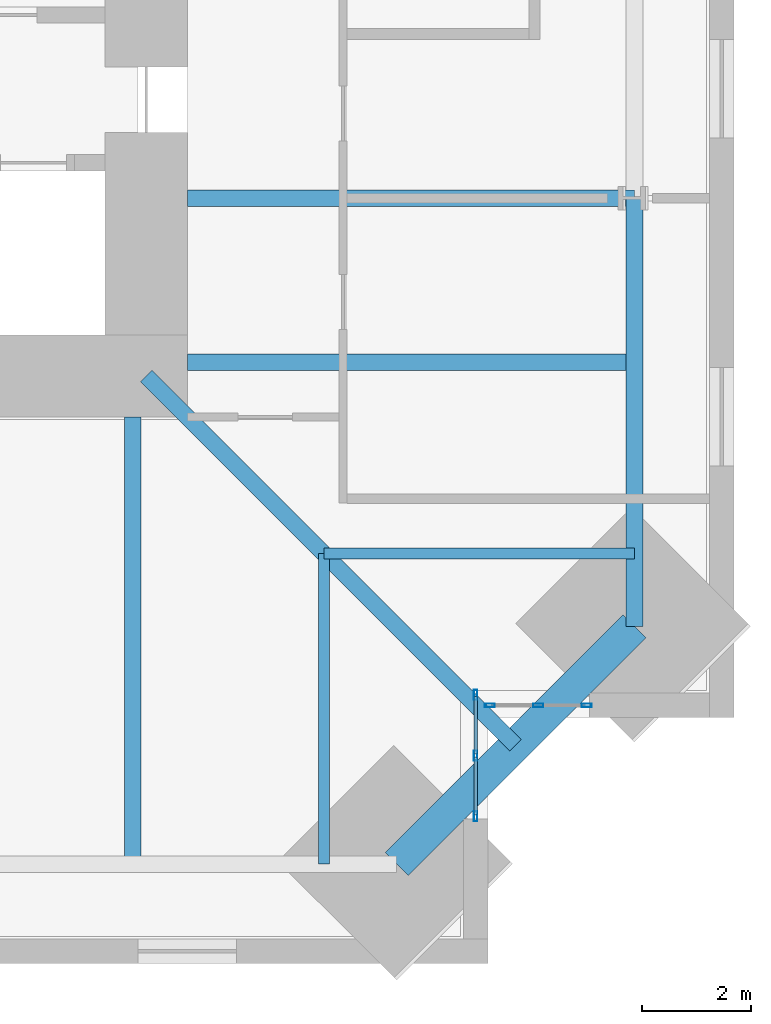
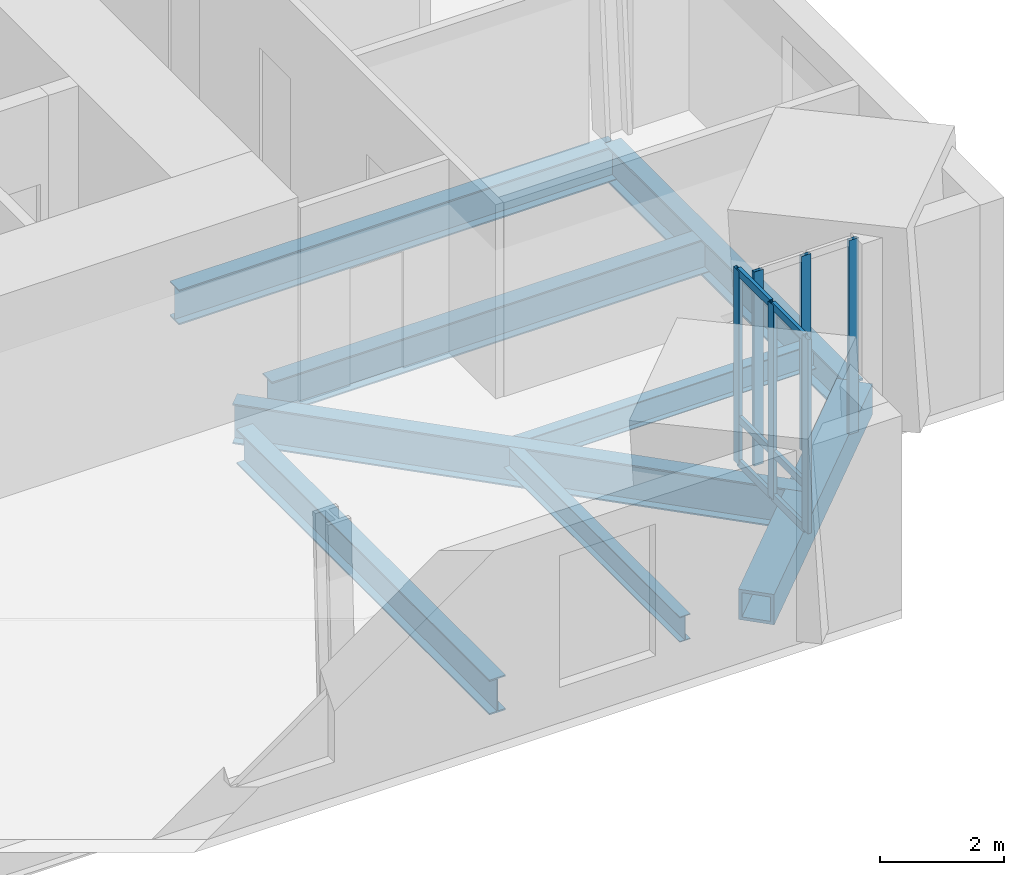
# One storey, part 4 of 16: 12 members, 8 beams, 2 elements without a shape of their own.
"""IFC4 building model written with IfcOpenShell, lengths in metres."""

import ifcopenshell
import ifcopenshell.guid

model = None  # the IFC model being written
_history = None  # IfcOwnerHistory: only IFC2X3 demands one
_inside = {}  # id of a spatial element -> (the spatial element, [elements in it])
_under = {}  # id of a project, library or spatial element -> (it, [spatial elements below it])
_declared = {}  # id of a project -> (the project, [libraries it declares])
_typed = {}  # id of a type object -> (the type object, [elements of that type])
_made_of = {}  # id of a material, layer set ... -> (it, [elements and type objects made of it])


def new_model(schema):
    """Start an empty IFC model of exactly this schema.

    Asked for "IFC4X3", IfcOpenShell would pick the latest addendum, in which some entities
    have other attributes; the version numbers below select the first issue.
    IFC2X3 requires an IfcOwnerHistory on every rooted entity: one is made here for all.
    """
    global model, _history
    if schema == "IFC4X3":
        model = ifcopenshell.file(schema_version=(4, 3, 0, 0))
    else:
        model = ifcopenshell.file(schema=schema)
    _inside.clear()
    _under.clear()
    _declared.clear()
    _typed.clear()
    _made_of.clear()
    _history = None
    if model.schema == "IFC2X3":
        org = make("IfcOrganization", Name="unknown")
        user = make(
            "IfcPersonAndOrganization",
            ThePerson=make("IfcPerson", FamilyName="unknown"),
            TheOrganization=org,
        )
        app = make(
            "IfcApplication",
            ApplicationDeveloper=org,
            Version="unknown",
            ApplicationFullName="unknown",
            ApplicationIdentifier="unknown",
        )
        _history = make(
            "IfcOwnerHistory",
            OwningUser=user,
            OwningApplication=app,
            ChangeAction="ADDED",
            CreationDate=0,
        )
    return model


def make(cls, **values):
    """One entity of the class cls with the attributes given. An attribute that is None is left unset."""
    return model.create_entity(
        cls, **{name: value for name, value in values.items() if value is not None}
    )


def rooted(cls, **values):
    """An entity with a GlobalId (a new one), such as an element, a storey or a relation."""
    return make(cls, GlobalId=ifcopenshell.guid.new(), OwnerHistory=_history, **values)


def si_unit(unit_type, name, prefix=None):
    """IfcSIUnit, for example si_unit("LENGTHUNIT", "METRE", prefix="MILLI")."""
    return make("IfcSIUnit", UnitType=unit_type, Prefix=prefix, Name=name)


def assignment(units):
    """IfcUnitAssignment: the units of a project."""
    return None if units is None else make("IfcUnitAssignment", Units=units)


def point(xyz):
    """IfcCartesianPoint."""
    return None if xyz is None else make("IfcCartesianPoint", Coordinates=xyz)


def direction(xyz):
    """IfcDirection."""
    return None if xyz is None else make("IfcDirection", DirectionRatios=xyz)


def frame(location, z_axis=None, x_axis=None):
    """IfcAxis2Placement3D, a coordinate frame: its origin and axes. An axis left out is left unset."""
    return make(
        "IfcAxis2Placement3D",
        Location=point(location),
        Axis=direction(z_axis),
        RefDirection=direction(x_axis),
    )


def frame_2d(location, x_axis=None):
    """IfcAxis2Placement2D, a coordinate frame in the plane: its origin and x axis."""
    return make(
        "IfcAxis2Placement2D", Location=point(location), RefDirection=direction(x_axis)
    )


def origin():
    """The frame at (0, 0, 0) with its axes left unset."""
    return frame((0.0, 0.0, 0.0))


def origin_2d():
    """The frame at (0, 0) in the plane with its x axis left unset."""
    return frame_2d((0.0, 0.0))


def place(relative_to, where):
    """IfcLocalPlacement: puts the frame where relative to a parent placement (None: the world)."""
    return make(
        "IfcLocalPlacement", PlacementRelTo=relative_to, RelativePlacement=where
    )


def context(
    kind, dimensions, precision=None, world=None, true_north=None, identifier=None
):
    """IfcGeometricRepresentationContext, for example the 3D "Model" context."""
    return make(
        "IfcGeometricRepresentationContext",
        ContextIdentifier=identifier,
        ContextType=kind,
        CoordinateSpaceDimension=dimensions,
        Precision=precision,
        WorldCoordinateSystem=world,
        TrueNorth=true_north,
    )


def subcontext(parent, identifier, kind, view, scale=None):
    """IfcGeometricRepresentationSubContext, for example "Body" below "Model"."""
    return make(
        "IfcGeometricRepresentationSubContext",
        ContextIdentifier=identifier,
        ContextType=kind,
        ParentContext=parent,
        TargetScale=scale,
        TargetView=view,
    )


def project(units=None, contexts=None):
    """IfcProject with its units and contexts."""
    return rooted(
        "IfcProject",
        Name="project",
        RepresentationContexts=contexts,
        UnitsInContext=assignment(units),
    )


def spatial(cls, under=None, at=None, **own):
    """A site, building, storey or space (cls), placed at a placement, below another one or the project."""
    s = rooted(cls, ObjectPlacement=at, **own)
    if under is not None:
        _under.setdefault(under.id(), (under, []))[1].append(s)
    return s


def profile(cls, at=None, kind="AREA", **sizes):
    """A parametric profile (cls). Its sizes go by their IFC names, for example OverallWidth=200.0."""
    return make(cls, ProfileType=kind, Position=at, **sizes)


def hollow_rectangle(**sizes):
    """IfcRectangleHollowProfileDef."""
    return profile("IfcRectangleHollowProfileDef", **sizes)


def i_section(**sizes):
    """IfcIShapeProfileDef."""
    return profile("IfcIShapeProfileDef", **sizes)


def extrude(swept, where, along, depth):
    """IfcExtrudedAreaSolid: the profile swept, set in the frame where, extruded along a direction by depth."""
    return make(
        "IfcExtrudedAreaSolid",
        SweptArea=swept,
        Position=where,
        ExtrudedDirection=direction(along),
        Depth=depth,
    )


def shape(context_of_items, identifier, shape_type, items):
    """IfcShapeRepresentation: the items that make up one representation, for example the "Body"."""
    return make(
        "IfcShapeRepresentation",
        ContextOfItems=context_of_items,
        RepresentationIdentifier=identifier,
        RepresentationType=shape_type,
        Items=items,
    )


def material(Name=None, Category=None):
    """IfcMaterial."""
    return make("IfcMaterial", Name=Name, Category=Category)


def material_profile(
    of_material, cross_section, Name=None, Category=None, Priority=None
):
    """IfcMaterialProfile: a cross section and its material."""
    return make(
        "IfcMaterialProfile",
        Name=Name,
        Material=of_material,
        Profile=cross_section,
        Priority=Priority,
        Category=Category,
    )


def profile_set(profiles, Name=None, composite=None):
    """IfcMaterialProfileSet."""
    return make(
        "IfcMaterialProfileSet",
        Name=Name,
        MaterialProfiles=profiles,
        CompositeProfile=composite,
    )


def made_of(thing, what):
    """Note that an element or type object is made of a material, layer set ...; save() writes the relation."""
    if what is not None:
        _made_of.setdefault(what.id(), (what, []))[1].append(thing)
    return thing


def type_object(cls, material=None, **own):
    """A type object (cls), such as IfcWallType, which elements share."""
    return made_of(rooted(cls, **own), material)


def element(
    cls,
    number,
    at=None,
    inside=None,
    cuts=None,
    type_object=None,
    material=None,
    context=None,
    identifier="Body",
    shape_type=None,
    held_by="IfcProductDefinitionShape",
    body=None,
    shapes=None,
    **own,
):
    """One element of the class cls, such as IfcWall. Its Tag is "e" and its number.

    at: its placement. inside: the storey or other place that contains it. cuts: it is an
    opening in that element (IfcRelVoidsElement). A single representation is given by context,
    identifier, shape_type and body (its items); several are given by shapes. held_by: the class
    of the entity that holds the representations. save() writes the other relations.
    """
    e = rooted(cls, Tag="e%d" % number, ObjectPlacement=at, **own)
    if body is not None:
        shapes = [shape(context, identifier, shape_type, body)]
    if shapes is not None:
        e.Representation = make(held_by, Representations=shapes)
    if inside is not None:
        _inside.setdefault(inside.id(), (inside, []))[1].append(e)
    if cuts is not None:
        rooted(
            "IfcRelVoidsElement", RelatingBuildingElement=cuts, RelatedOpeningElement=e
        )
    if type_object is not None:
        _typed.setdefault(type_object.id(), (type_object, []))[1].append(e)
    return made_of(e, material)


def aggregate(whole, parts):
    """IfcRelAggregates: a whole, such as a stair, and the parts it consists of."""
    return rooted("IfcRelAggregates", RelatingObject=whole, RelatedObjects=parts)


def save(model, path):
    """Write the relations noted so far, then the file.

    IfcRelAggregates (storeys below a building ...), IfcRelContainedInSpatialStructure (elements
    in a storey), IfcRelDefinesByType, IfcRelAssociatesMaterial and IfcRelDeclares: one each for
    every whole, place, type object, material and project.
    """
    for whole, parts in _under.values():
        aggregate(whole, parts)
    for where, things in _inside.values():
        rooted(
            "IfcRelContainedInSpatialStructure",
            RelatedElements=things,
            RelatingStructure=where,
        )
    for kind, things in _typed.values():
        rooted("IfcRelDefinesByType", RelatedObjects=things, RelatingType=kind)
    for what, things in _made_of.values():
        rooted("IfcRelAssociatesMaterial", RelatedObjects=things, RelatingMaterial=what)
    for by, libraries in _declared.values():
        rooted("IfcRelDeclares", RelatingContext=by, RelatedDefinitions=libraries)
    model.write(path)


model = new_model("IFC4")

# Units and contexts
model_context = context("Model", 3, precision=1e-05, world=origin(), true_north=direction((0.0, 1.0)))
body_context = subcontext(model_context, "Body", "Model", "MODEL_VIEW")
ifc_project = project(units=[si_unit("LENGTHUNIT", "METRE"), si_unit("AREAUNIT", "SQUARE_METRE"), si_unit("VOLUMEUNIT", "CUBIC_METRE"), si_unit("PLANEANGLEUNIT", "RADIAN"), si_unit("MASSUNIT", "GRAM", prefix="KILO")], contexts=[model_context])

# Site, building, storey
site_placement = place(None, origin())
site = spatial("IfcSite", under=ifc_project, at=site_placement, CompositionType="ELEMENT")
building_placement = place(site_placement, origin())
building = spatial("IfcBuilding", under=site, at=building_placement, Name="Peilmerk Tower", CompositionType="ELEMENT")
storey_placement = place(building_placement, frame((0.0, 0.0, 265.800048828125)))
storey = spatial("IfcBuildingStorey", under=building, at=storey_placement, Name="L59", CompositionType="ELEMENT", Elevation=265.800048828125)

# Beams
ifc_material_1 = material(Name="Steel S355", Category="steel")
ifc_material_profile_1 = material_profile(ifc_material_1, i_section(OverallWidth=0.300048828125, OverallDepth=0.68994140625, WebThickness=0.014404296875, FlangeThickness=0.027099609375, at=origin_2d()), Name="HEA 700")
ifc_profile_set_1 = profile_set([ifc_material_profile_1], Name="Steel S355")
beam_type_1 = type_object("IfcBeamType", Name="B16 HEA 700 floor beam", PredefinedType="BEAM", material=ifc_profile_set_1)
for number, where, z_axis, x_axis, name in (
    (1, (12.0, -11.0, -0.51513671875), (1.0, 0.0, 0.0), (0.0, 1.0, 0.0), "Floor beam L59"),
    (2, (12.0, -8.0, -0.51513671875), (1.0, 0.0, 0.0), (0.0, 1.0, 0.0), "Floor beam L59"),
    (3, (11.0, -12.0, -0.51513671875), (0.0, -1.0, 0.0), (1.0, 0.0, 0.0), "Floor beam L59"),
):
    element("IfcBeam", number, at=place(storey_placement, frame(where, z_axis=z_axis, x_axis=x_axis)), inside=storey, type_object=beam_type_1, Name=name, PredefinedType="BEAM", context=body_context, shape_type="SweptSolid", body=[
        extrude(i_section(OverallWidth=0.300048828125, OverallDepth=0.68994140625, WebThickness=0.014404296875, FlangeThickness=0.027099609375, at=origin_2d()), origin(), (0.0, 0.0, 1.0), 8.178955078125),
    ])
ifc_material_2 = material(Name="Steel S460", Category="steel")
ifc_material_profile_2 = material_profile(ifc_material_2, hollow_rectangle(XDim=0.60009765625, YDim=0.60009765625, WallThickness=0.06005859375, at=origin_2d()), Name="BOX 600x600x60")
ifc_profile_set_2 = profile_set([ifc_material_profile_2], Name="Steel S460")
beam_type_2 = type_object("IfcBeamType", Name="B20 BOX 600x600x60 notch beam", PredefinedType="SPANDREL", material=ifc_profile_set_2)
beam_1_placement = place(storey_placement, frame((20.178955078125, -15.8291015625, -0.469970703125), z_axis=(-0.707106781187, -0.707106781187, 0.0), x_axis=(0.707106781187, -0.707106781187, 0.0)))
element("IfcBeam", 4, at=beam_1_placement, inside=storey, type_object=beam_type_2, Name="Notch beam L59", PredefinedType="SPANDREL", context=body_context, shape_type="SweptSolid", body=[
    extrude(hollow_rectangle(XDim=0.60009765625, YDim=0.60009765625, WallThickness=0.06005859375, at=origin_2d()), origin(), (0.0, 0.0, 1.0), 6.151611328125),
])
ifc_material_profile_3 = material_profile(ifc_material_1, i_section(OverallWidth=0.300048828125, OverallDepth=0.7900390625, WebThickness=0.014892578125, FlangeThickness=0.028076171875, at=origin_2d()), Name="HEA 800")
ifc_profile_set_3 = profile_set([ifc_material_profile_3], Name="Steel S355")
beam_type_3 = type_object("IfcBeamType", Name="B3 HEA 800 floor beam", PredefinedType="BEAM", material=ifc_profile_set_3)
beam_2_placement = place(storey_placement, frame((11.25, -11.25, -0.56494140625), z_axis=(0.707106781187, -0.707106781187, 0.0), x_axis=(0.707106781187, 0.707106781187, 0.0)))
element("IfcBeam", 5, at=beam_2_placement, inside=storey, type_object=beam_type_3, Name="Corner girder L59", PredefinedType="BEAM", context=body_context, shape_type="SweptSolid", body=[
    extrude(i_section(OverallWidth=0.300048828125, OverallDepth=0.7900390625, WebThickness=0.014892578125, FlangeThickness=0.028076171875, at=origin_2d()), origin(), (0.0, 0.0, 1.0), 9.5517578125),
])
ifc_material_profile_4 = material_profile(ifc_material_1, i_section(OverallWidth=0.303955078125, OverallDepth=0.716064453125, WebThickness=0.02099609375, FlangeThickness=0.0400390625, at=origin_2d()), Name="HEM 700")
ifc_profile_set_4 = profile_set([ifc_material_profile_4], Name="Steel S355")
beam_type_4 = type_object("IfcBeamType", Name="B30 HEM 700 edge beam", PredefinedType="SPANDREL", material=ifc_profile_set_4)
beam_3_placement = place(storey_placement, frame((20.178955078125, -15.8291015625, -0.528076171875), z_axis=(0.0, 1.0, 0.0), x_axis=(-1.0, 0.0, 0.0)))
element("IfcBeam", 6, at=beam_3_placement, inside=storey, type_object=beam_type_4, Name="Edge beam L59", PredefinedType="SPANDREL", context=body_context, shape_type="SweptSolid", body=[
    extrude(i_section(OverallWidth=0.303955078125, OverallDepth=0.716064453125, WebThickness=0.02099609375, FlangeThickness=0.0400390625, at=origin_2d()), origin(), (0.0, 0.0, 1.0), 7.8291015625),
])
ifc_material_profile_5 = material_profile(ifc_material_1, i_section(OverallWidth=0.199951171875, OverallDepth=0.5, WebThickness=0.01025390625, FlangeThickness=0.01611328125, at=origin_2d()), Name="IPE 500")
ifc_profile_set_5 = profile_set([ifc_material_profile_5], Name="Steel S355")
beam_type_5 = type_object("IfcBeamType", Name="B32 IPE 500 floor beam", PredefinedType="BEAM", material=ifc_profile_set_5)
for number, where, z_axis, x_axis, name in (
    (7, (14.5, -14.5, -0.420166015625), (0.0, -1.0, 0.0), (1.0, 0.0, 0.0), "Floor beam L59"),
    (8, (14.5, -14.5, -0.420166015625), (1.0, 0.0, 0.0), (0.0, 1.0, 0.0), "Floor beam L59"),
):
    element("IfcBeam", number, at=place(storey_placement, frame(where, z_axis=z_axis, x_axis=x_axis)), inside=storey, type_object=beam_type_5, Name=name, PredefinedType="BEAM", context=body_context, shape_type="SweptSolid", body=[
        extrude(i_section(OverallWidth=0.199951171875, OverallDepth=0.5, WebThickness=0.01025390625, FlangeThickness=0.01611328125, at=origin_2d()), origin(), (0.0, 0.0, 1.0), 5.678955078125),
    ])

# Curtain wall, members
ifc_material_3 = material(Name="Aluminium stick curtain wall", Category="aluminium")
curtain_wall_type = type_object("IfcCurtainWallType", Name="CW4 stick curtain wall, 2250 module", PredefinedType="NOTDEFINED", material=ifc_material_3)
curtain_wall_1_placement = place(storey_placement, origin())
curtain_wall_1 = element("IfcCurtainWall", 9, at=curtain_wall_1_placement, inside=storey, type_object=curtain_wall_type, Name="Curtain wall CW4 SEA L59", PredefinedType="NOTDEFINED")
ifc_material_4 = material(Name="Aluminium EN AW-6063 T6", Category="aluminium")
ifc_material_profile_6 = material_profile(ifc_material_4, hollow_rectangle(XDim=0.06494140625, YDim=0.179931640625, WallThickness=0.0029296875, at=origin_2d()), Name="AL 180x65x3")
ifc_profile_set_6 = profile_set([ifc_material_profile_6], Name="Aluminium EN AW-6063 T6")
member_type_1 = type_object("IfcMemberType", Name="CW4-M AL 180x65x3 mullion", PredefinedType="MULLION", material=ifc_profile_set_6)
member_1_placement = place(storey_placement, frame((17.27490234375, -17.08251953125, 0.0), z_axis=(0.0, 0.0, 1.0), x_axis=(1.0, 0.0, 0.0)))
member_1 = element("IfcMember", 10, at=member_1_placement, type_object=member_type_1, Name="CW4 mullion 1", PredefinedType="MULLION", context=body_context, shape_type="SweptSolid", body=[
    extrude(hollow_rectangle(XDim=0.06494140625, YDim=0.179931640625, WallThickness=0.0029296875, at=origin_2d()), origin(), (0.0, 0.0, 1.0), 3.829833984375),
])
member_2_placement = place(storey_placement, frame((17.27490234375, -18.1943359375, 0.0), z_axis=(0.0, 0.0, 1.0), x_axis=(1.0, 0.0, 0.0)))
member_2 = element("IfcMember", 11, at=member_2_placement, type_object=member_type_1, Name="CW4 mullion 2", PredefinedType="MULLION", context=body_context, shape_type="SweptSolid", body=[
    extrude(hollow_rectangle(XDim=0.06494140625, YDim=0.179931640625, WallThickness=0.0029296875, at=origin_2d()), origin(), (0.0, 0.0, 1.0), 3.829833984375),
])
member_3_placement = place(storey_placement, frame((17.27490234375, -19.30615234375, 0.0), z_axis=(0.0, 0.0, 1.0), x_axis=(1.0, 0.0, 0.0)))
member_3 = element("IfcMember", 12, at=member_3_placement, type_object=member_type_1, Name="CW4 mullion 3", PredefinedType="MULLION", context=body_context, shape_type="SweptSolid", body=[
    extrude(hollow_rectangle(XDim=0.06494140625, YDim=0.179931640625, WallThickness=0.0029296875, at=origin_2d()), origin(), (0.0, 0.0, 1.0), 3.829833984375),
])

curtain_wall_2_placement = place(storey_placement, origin())
curtain_wall_2 = element("IfcCurtainWall", 13, at=curtain_wall_2_placement, inside=storey, type_object=curtain_wall_type, Name="Curtain wall CW4 SEB L59", PredefinedType="NOTDEFINED")
member_4_placement = place(storey_placement, frame((17.532470703125, -17.27490234375, 0.0), z_axis=(0.0, 0.0, 1.0), x_axis=(0.0, 1.0, 0.0)))
member_4 = element("IfcMember", 14, at=member_4_placement, type_object=member_type_1, Name="CW4 mullion 1", PredefinedType="MULLION", context=body_context, shape_type="SweptSolid", body=[
    extrude(hollow_rectangle(XDim=0.06494140625, YDim=0.179931640625, WallThickness=0.0029296875, at=origin_2d()), origin(), (0.0, 0.0, 1.0), 3.829833984375),
])
member_5_placement = place(storey_placement, frame((18.41943359375, -17.27490234375, 0.0), z_axis=(0.0, 0.0, 1.0), x_axis=(0.0, 1.0, 0.0)))
member_5 = element("IfcMember", 15, at=member_5_placement, type_object=member_type_1, Name="CW4 mullion 2", PredefinedType="MULLION", context=body_context, shape_type="SweptSolid", body=[
    extrude(hollow_rectangle(XDim=0.06494140625, YDim=0.179931640625, WallThickness=0.0029296875, at=origin_2d()), origin(), (0.0, 0.0, 1.0), 3.829833984375),
])
member_6_placement = place(storey_placement, frame((19.30615234375, -17.27490234375, 0.0), z_axis=(0.0, 0.0, 1.0), x_axis=(0.0, 1.0, 0.0)))
member_6 = element("IfcMember", 16, at=member_6_placement, type_object=member_type_1, Name="CW4 mullion 3", PredefinedType="MULLION", context=body_context, shape_type="SweptSolid", body=[
    extrude(hollow_rectangle(XDim=0.06494140625, YDim=0.179931640625, WallThickness=0.0029296875, at=origin_2d()), origin(), (0.0, 0.0, 1.0), 3.829833984375),
])
aggregate(curtain_wall_2, [member_4, member_5, member_6])

# Member
ifc_material_profile_7 = material_profile(ifc_material_4, hollow_rectangle(XDim=0.06494140625, YDim=0.14990234375, WallThickness=0.0029296875, at=origin_2d()), Name="AL 150x65x3")
ifc_profile_set_7 = profile_set([ifc_material_profile_7], Name="Aluminium EN AW-6063 T6")
member_type_2 = type_object("IfcMemberType", Name="CW4-T AL 150x65x3 transom", PredefinedType="USERDEFINED", material=ifc_profile_set_7)
member_7_placement = place(storey_placement, frame((17.27490234375, -17.114990234375, 0.032470703125), z_axis=(0.0, -1.0, 0.0), x_axis=(1.0, 0.0, 0.0)))
member_7 = element("IfcMember", 17, at=member_7_placement, type_object=member_type_2, Name="CW4 transom 1.1", ObjectType="TRANSOM", PredefinedType="USERDEFINED", context=body_context, shape_type="SweptSolid", body=[
    extrude(hollow_rectangle(XDim=0.06494140625, YDim=0.14990234375, WallThickness=0.0029296875, at=origin_2d()), origin(), (0.0, 0.0, 1.0), 1.046875),
])

member_8_placement = place(storey_placement, frame((17.27490234375, -17.114990234375, 0.89990234375), z_axis=(0.0, -1.0, 0.0), x_axis=(1.0, 0.0, 0.0)))
member_8 = element("IfcMember", 18, at=member_8_placement, type_object=member_type_2, Name="CW4 transom 1.2", ObjectType="TRANSOM", PredefinedType="USERDEFINED", context=body_context, shape_type="SweptSolid", body=[
    extrude(hollow_rectangle(XDim=0.06494140625, YDim=0.14990234375, WallThickness=0.0029296875, at=origin_2d()), origin(), (0.0, 0.0, 1.0), 1.046875),
])

member_9_placement = place(storey_placement, frame((17.27490234375, -17.114990234375, 3.79736328125), z_axis=(0.0, -1.0, 0.0), x_axis=(1.0, 0.0, 0.0)))
member_9 = element("IfcMember", 19, at=member_9_placement, type_object=member_type_2, Name="CW4 transom 1.3", ObjectType="TRANSOM", PredefinedType="USERDEFINED", context=body_context, shape_type="SweptSolid", body=[
    extrude(hollow_rectangle(XDim=0.06494140625, YDim=0.14990234375, WallThickness=0.0029296875, at=origin_2d()), origin(), (0.0, 0.0, 1.0), 1.046875),
])

member_10_placement = place(storey_placement, frame((17.27490234375, -18.226806640625, 0.032470703125), z_axis=(0.0, -1.0, 0.0), x_axis=(1.0, 0.0, 0.0)))
member_10 = element("IfcMember", 20, at=member_10_placement, type_object=member_type_2, Name="CW4 transom 2.1", ObjectType="TRANSOM", PredefinedType="USERDEFINED", context=body_context, shape_type="SweptSolid", body=[
    extrude(hollow_rectangle(XDim=0.06494140625, YDim=0.14990234375, WallThickness=0.0029296875, at=origin_2d()), origin(), (0.0, 0.0, 1.0), 1.046875),
])

member_11_placement = place(storey_placement, frame((17.27490234375, -18.226806640625, 0.89990234375), z_axis=(0.0, -1.0, 0.0), x_axis=(1.0, 0.0, 0.0)))
member_11 = element("IfcMember", 21, at=member_11_placement, type_object=member_type_2, Name="CW4 transom 2.2", ObjectType="TRANSOM", PredefinedType="USERDEFINED", context=body_context, shape_type="SweptSolid", body=[
    extrude(hollow_rectangle(XDim=0.06494140625, YDim=0.14990234375, WallThickness=0.0029296875, at=origin_2d()), origin(), (0.0, 0.0, 1.0), 1.046875),
])

member_12_placement = place(storey_placement, frame((17.27490234375, -18.226806640625, 3.79736328125), z_axis=(0.0, -1.0, 0.0), x_axis=(1.0, 0.0, 0.0)))
member_12 = element("IfcMember", 22, at=member_12_placement, type_object=member_type_2, Name="CW4 transom 2.3", ObjectType="TRANSOM", PredefinedType="USERDEFINED", context=body_context, shape_type="SweptSolid", body=[
    extrude(hollow_rectangle(XDim=0.06494140625, YDim=0.14990234375, WallThickness=0.0029296875, at=origin_2d()), origin(), (0.0, 0.0, 1.0), 1.046875),
])

aggregate(curtain_wall_1, [member_1, member_2, member_3, member_7, member_8, member_9, member_10, member_11, member_12])

save(model, "model.ifc")
